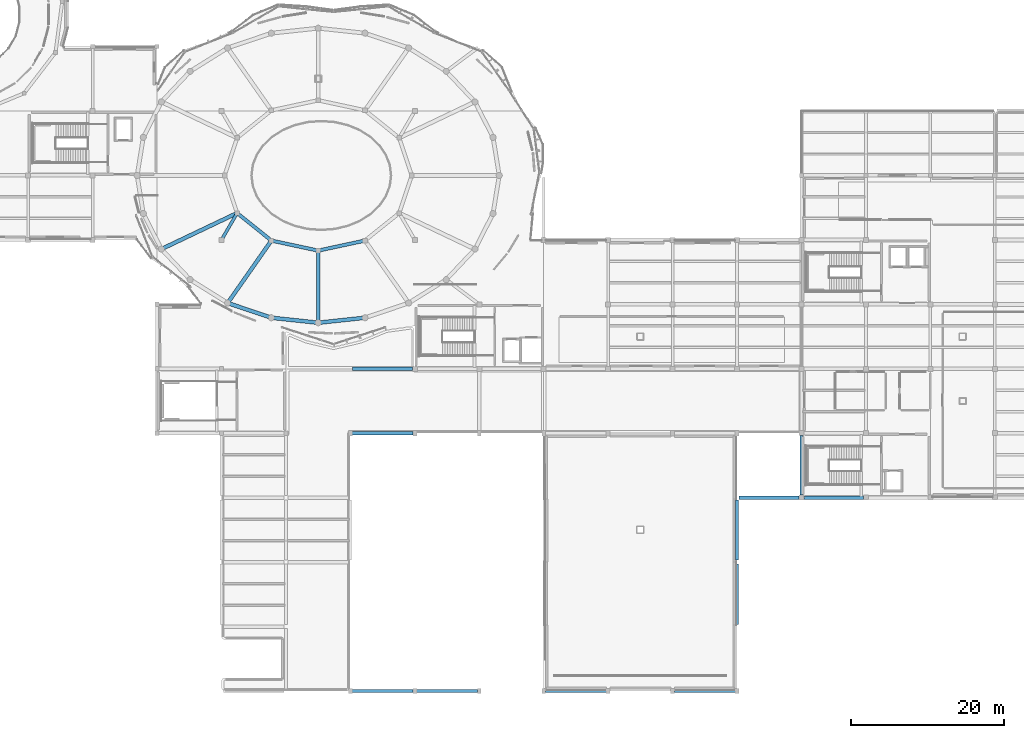
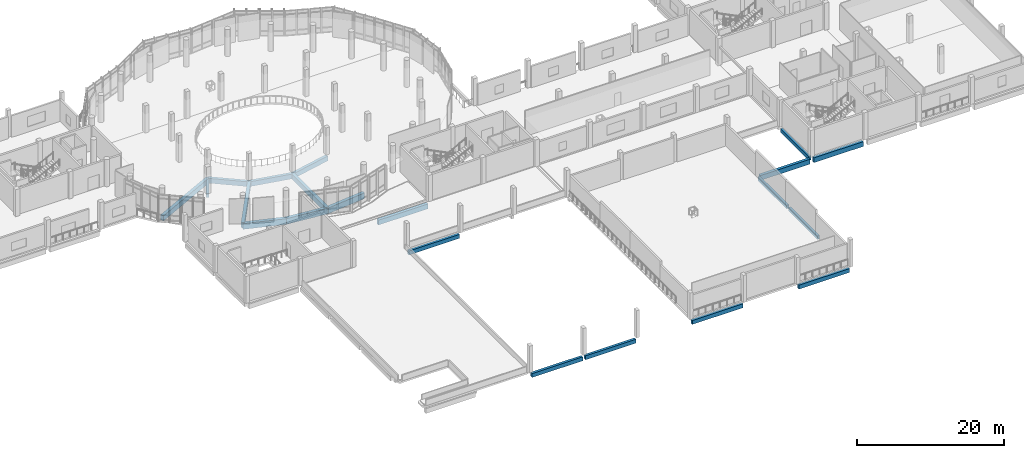
# One storey, part 5 of 46: 21 beams.
"""IFC4 building model written with IfcOpenShell, lengths in metres."""

import ifcopenshell
import ifcopenshell.guid

model = None  # the IFC model being written
_history = None  # IfcOwnerHistory: only IFC2X3 demands one
_inside = {}  # id of a spatial element -> (the spatial element, [elements in it])
_under = {}  # id of a project, library or spatial element -> (it, [spatial elements below it])
_declared = {}  # id of a project -> (the project, [libraries it declares])
_typed = {}  # id of a type object -> (the type object, [elements of that type])
_made_of = {}  # id of a material, layer set ... -> (it, [elements and type objects made of it])


def new_model(schema):
    """Start an empty IFC model of exactly this schema.

    Asked for "IFC4X3", IfcOpenShell would pick the latest addendum, in which some entities
    have other attributes; the version numbers below select the first issue.
    IFC2X3 requires an IfcOwnerHistory on every rooted entity: one is made here for all.
    """
    global model, _history
    if schema == "IFC4X3":
        model = ifcopenshell.file(schema_version=(4, 3, 0, 0))
    else:
        model = ifcopenshell.file(schema=schema)
    _inside.clear()
    _under.clear()
    _declared.clear()
    _typed.clear()
    _made_of.clear()
    _history = None
    if model.schema == "IFC2X3":
        org = make("IfcOrganization", Name="unknown")
        user = make(
            "IfcPersonAndOrganization",
            ThePerson=make("IfcPerson", FamilyName="unknown"),
            TheOrganization=org,
        )
        app = make(
            "IfcApplication",
            ApplicationDeveloper=org,
            Version="unknown",
            ApplicationFullName="unknown",
            ApplicationIdentifier="unknown",
        )
        _history = make(
            "IfcOwnerHistory",
            OwningUser=user,
            OwningApplication=app,
            ChangeAction="ADDED",
            CreationDate=0,
        )
    return model


def make(cls, **values):
    """One entity of the class cls with the attributes given. An attribute that is None is left unset."""
    return model.create_entity(
        cls, **{name: value for name, value in values.items() if value is not None}
    )


def rooted(cls, **values):
    """An entity with a GlobalId (a new one), such as an element, a storey or a relation."""
    return make(cls, GlobalId=ifcopenshell.guid.new(), OwnerHistory=_history, **values)


def si_unit(unit_type, name, prefix=None):
    """IfcSIUnit, for example si_unit("LENGTHUNIT", "METRE", prefix="MILLI")."""
    return make("IfcSIUnit", UnitType=unit_type, Prefix=prefix, Name=name)


def derived_unit(unit_type, elements):
    """IfcDerivedUnit: a product of units, each with its exponent."""
    return make(
        "IfcDerivedUnit",
        Elements=[
            make("IfcDerivedUnitElement", Unit=unit, Exponent=power)
            for unit, power in elements
        ],
        UnitType=unit_type,
    )


def assignment(units):
    """IfcUnitAssignment: the units of a project."""
    return None if units is None else make("IfcUnitAssignment", Units=units)


def point(xyz):
    """IfcCartesianPoint."""
    return None if xyz is None else make("IfcCartesianPoint", Coordinates=xyz)


def direction(xyz):
    """IfcDirection."""
    return None if xyz is None else make("IfcDirection", DirectionRatios=xyz)


def frame(location, z_axis=None, x_axis=None):
    """IfcAxis2Placement3D, a coordinate frame: its origin and axes. An axis left out is left unset."""
    return make(
        "IfcAxis2Placement3D",
        Location=point(location),
        Axis=direction(z_axis),
        RefDirection=direction(x_axis),
    )


def frame_2d(location, x_axis=None):
    """IfcAxis2Placement2D, a coordinate frame in the plane: its origin and x axis."""
    return make(
        "IfcAxis2Placement2D", Location=point(location), RefDirection=direction(x_axis)
    )


def origin():
    """The frame at (0, 0, 0) with its axes left unset."""
    return frame((0.0, 0.0, 0.0))


def origin_2d():
    """The frame at (0, 0) in the plane with its x axis left unset."""
    return frame_2d((0.0, 0.0))


def place(relative_to, where):
    """IfcLocalPlacement: puts the frame where relative to a parent placement (None: the world)."""
    return make(
        "IfcLocalPlacement", PlacementRelTo=relative_to, RelativePlacement=where
    )


def context(
    kind, dimensions, precision=None, world=None, true_north=None, identifier=None
):
    """IfcGeometricRepresentationContext, for example the 3D "Model" context."""
    return make(
        "IfcGeometricRepresentationContext",
        ContextIdentifier=identifier,
        ContextType=kind,
        CoordinateSpaceDimension=dimensions,
        Precision=precision,
        WorldCoordinateSystem=world,
        TrueNorth=true_north,
    )


def subcontext(parent, identifier, kind, view, scale=None):
    """IfcGeometricRepresentationSubContext, for example "Body" below "Model"."""
    return make(
        "IfcGeometricRepresentationSubContext",
        ContextIdentifier=identifier,
        ContextType=kind,
        ParentContext=parent,
        TargetScale=scale,
        TargetView=view,
    )


def project(units=None, contexts=None):
    """IfcProject with its units and contexts."""
    return rooted(
        "IfcProject",
        Name="project",
        RepresentationContexts=contexts,
        UnitsInContext=assignment(units),
    )


def spatial(cls, under=None, at=None, **own):
    """A site, building, storey or space (cls), placed at a placement, below another one or the project."""
    s = rooted(cls, ObjectPlacement=at, **own)
    if under is not None:
        _under.setdefault(under.id(), (under, []))[1].append(s)
    return s


def profile(cls, at=None, kind="AREA", **sizes):
    """A parametric profile (cls). Its sizes go by their IFC names, for example OverallWidth=200.0."""
    return make(cls, ProfileType=kind, Position=at, **sizes)


def rectangle(**sizes):
    """IfcRectangleProfileDef."""
    return profile("IfcRectangleProfileDef", **sizes)


def extrude(swept, where, along, depth):
    """IfcExtrudedAreaSolid: the profile swept, set in the frame where, extruded along a direction by depth."""
    return make(
        "IfcExtrudedAreaSolid",
        SweptArea=swept,
        Position=where,
        ExtrudedDirection=direction(along),
        Depth=depth,
    )


def shape(context_of_items, identifier, shape_type, items):
    """IfcShapeRepresentation: the items that make up one representation, for example the "Body"."""
    return make(
        "IfcShapeRepresentation",
        ContextOfItems=context_of_items,
        RepresentationIdentifier=identifier,
        RepresentationType=shape_type,
        Items=items,
    )


def material(Name=None, Category=None):
    """IfcMaterial."""
    return make("IfcMaterial", Name=Name, Category=Category)


def material_profile(
    of_material, cross_section, Name=None, Category=None, Priority=None
):
    """IfcMaterialProfile: a cross section and its material."""
    return make(
        "IfcMaterialProfile",
        Name=Name,
        Material=of_material,
        Profile=cross_section,
        Priority=Priority,
        Category=Category,
    )


def profile_set(profiles, Name=None, composite=None):
    """IfcMaterialProfileSet."""
    return make(
        "IfcMaterialProfileSet",
        Name=Name,
        MaterialProfiles=profiles,
        CompositeProfile=composite,
    )


def made_of(thing, what):
    """Note that an element or type object is made of a material, layer set ...; save() writes the relation."""
    if what is not None:
        _made_of.setdefault(what.id(), (what, []))[1].append(thing)
    return thing


def type_object(cls, material=None, **own):
    """A type object (cls), such as IfcWallType, which elements share."""
    return made_of(rooted(cls, **own), material)


def element(
    cls,
    number,
    at=None,
    inside=None,
    cuts=None,
    type_object=None,
    material=None,
    context=None,
    identifier="Body",
    shape_type=None,
    held_by="IfcProductDefinitionShape",
    body=None,
    shapes=None,
    **own,
):
    """One element of the class cls, such as IfcWall. Its Tag is "e" and its number.

    at: its placement. inside: the storey or other place that contains it. cuts: it is an
    opening in that element (IfcRelVoidsElement). A single representation is given by context,
    identifier, shape_type and body (its items); several are given by shapes. held_by: the class
    of the entity that holds the representations. save() writes the other relations.
    """
    e = rooted(cls, Tag="e%d" % number, ObjectPlacement=at, **own)
    if body is not None:
        shapes = [shape(context, identifier, shape_type, body)]
    if shapes is not None:
        e.Representation = make(held_by, Representations=shapes)
    if inside is not None:
        _inside.setdefault(inside.id(), (inside, []))[1].append(e)
    if cuts is not None:
        rooted(
            "IfcRelVoidsElement", RelatingBuildingElement=cuts, RelatedOpeningElement=e
        )
    if type_object is not None:
        _typed.setdefault(type_object.id(), (type_object, []))[1].append(e)
    return made_of(e, material)


def aggregate(whole, parts):
    """IfcRelAggregates: a whole, such as a stair, and the parts it consists of."""
    return rooted("IfcRelAggregates", RelatingObject=whole, RelatedObjects=parts)


def save(model, path):
    """Write the relations noted so far, then the file.

    IfcRelAggregates (storeys below a building ...), IfcRelContainedInSpatialStructure (elements
    in a storey), IfcRelDefinesByType, IfcRelAssociatesMaterial and IfcRelDeclares: one each for
    every whole, place, type object, material and project.
    """
    for whole, parts in _under.values():
        aggregate(whole, parts)
    for where, things in _inside.values():
        rooted(
            "IfcRelContainedInSpatialStructure",
            RelatedElements=things,
            RelatingStructure=where,
        )
    for kind, things in _typed.values():
        rooted("IfcRelDefinesByType", RelatedObjects=things, RelatingType=kind)
    for what, things in _made_of.values():
        rooted("IfcRelAssociatesMaterial", RelatedObjects=things, RelatingMaterial=what)
    for by, libraries in _declared.values():
        rooted("IfcRelDeclares", RelatingContext=by, RelatedDefinitions=libraries)
    model.write(path)


model = new_model("IFC4")

# Units and contexts
model_context = context("Model", 3, precision=1e-05, world=origin(), true_north=direction((0.0, 1.0)))
body_context = subcontext(model_context, "Body", "Model", "MODEL_VIEW")
ifc_project = project(units=[si_unit("LENGTHUNIT", "METRE"), si_unit("AREAUNIT", "SQUARE_METRE"), si_unit("VOLUMEUNIT", "CUBIC_METRE"), si_unit("PLANEANGLEUNIT", "RADIAN"), si_unit("MASSUNIT", "GRAM", prefix="KILO"), derived_unit("THERMALTRANSMITTANCEUNIT", [(si_unit("POWERUNIT", "WATT"), 1), (si_unit("LENGTHUNIT", "METRE"), -2), (si_unit("THERMODYNAMICTEMPERATUREUNIT", "KELVIN"), -1)])], contexts=[model_context])

# Site, building, storey
site_placement = place(None, origin())
site = spatial("IfcSite", under=ifc_project, at=site_placement, CompositionType="ELEMENT")
building_placement = place(site_placement, origin())
building = spatial("IfcBuilding", under=site, at=building_placement, Name="Elbkamm Science Centre", CompositionType="ELEMENT")
storey_placement = place(building_placement, frame((0.0, 0.0, 9.89990234375)))
storey = spatial("IfcBuildingStorey", under=building, at=storey_placement, Name="L02", CompositionType="ELEMENT", Elevation=9.89990234375)

# Beams
ifc_material = material(Name="Concrete C40/50", Category="concrete")
ifc_material_profile_1 = material_profile(ifc_material, rectangle(XDim=0.35009765625, YDim=0.60009765625, at=origin_2d()), Name="RC 350x600")
ifc_profile_set_1 = profile_set([ifc_material_profile_1], Name="Concrete C40/50")
beam_type_1 = type_object("IfcBeamType", Name="BM-RC-350x600", PredefinedType="BEAM", material=ifc_profile_set_1)
beam_1_placement = place(storey_placement, frame((117.60009765625, 8.675048828125, -0.599853515625), z_axis=(0.0, 1.0, 0.0), x_axis=(-1.0, 0.0, 0.0)))
element("IfcBeam", 1, at=beam_1_placement, inside=storey, type_object=beam_type_1, Name="L02 Primary Y-Girder 012", PredefinedType="BEAM", context=body_context, shape_type="SweptSolid", body=[
    extrude(rectangle(XDim=0.35009765625, YDim=0.60009765625, at=origin_2d()), origin(), (0.0, 0.0, 1.0), 7.849853515625),
])
beam_2_placement = place(storey_placement, frame((117.60009765625, 17.074951171875, -0.599853515625), z_axis=(0.0, 1.0, 0.0), x_axis=(-1.0, 0.0, 0.0)))
element("IfcBeam", 2, at=beam_2_placement, inside=storey, type_object=beam_type_1, Name="L02 Primary Y-Girder 013", PredefinedType="BEAM", context=body_context, shape_type="SweptSolid", body=[
    extrude(rectangle(XDim=0.35009765625, YDim=0.60009765625, at=origin_2d()), origin(), (0.0, 0.0, 1.0), 7.85009765625),
])
beam_3_placement = place(storey_placement, frame((126.0, 25.52490234375, -0.599853515625), z_axis=(0.0, 1.0, 0.0), x_axis=(-1.0, 0.0, 0.0)))
element("IfcBeam", 3, at=beam_3_placement, inside=storey, type_object=beam_type_1, Name="L02 Primary Y-Girder 016", PredefinedType="BEAM", context=body_context, shape_type="SweptSolid", body=[
    extrude(rectangle(XDim=0.35009765625, YDim=0.60009765625, at=origin_2d()), origin(), (0.0, 0.0, 1.0), 7.75),
])
ifc_material_profile_2 = material_profile(ifc_material, rectangle(XDim=0.39990234375, YDim=0.64990234375, at=origin_2d()), Name="RC 400x650")
ifc_profile_set_2 = profile_set([ifc_material_profile_2], Name="Concrete C40/50")
beam_type_2 = type_object("IfcBeamType", Name="BM-RC-400x650", PredefinedType="BEAM", material=ifc_profile_set_2)
for number, where, z_axis, x_axis, name in (
    (4, (67.419921875, 0.0, -0.625), (1.0, 0.0, 0.0), (0.0, 1.0, 0.0), "L02 Perimeter Ring Tie Girder 033"),
    (5, (67.419921875, 33.60009765625, -0.625), (1.0, 0.0, 0.0), (0.0, 1.0, 0.0), "L02 Perimeter Ring Tie Girder 034"),
    (6, (83.780029296875, 0.0, -0.625), (-1.0, 0.0, 0.0), (0.0, -1.0, 0.0), "L02 Perimeter Ring Tie Girder 035"),
    (7, (92.6201171875, 0.0, -0.625), (1.0, 0.0, 0.0), (0.0, 1.0, 0.0), "L02 Perimeter Ring Tie Girder 037"),
    (8, (109.419921875, 0.0, -0.625), (1.0, 0.0, 0.0), (0.0, 1.0, 0.0), "L02 Perimeter Ring Tie Girder 039"),
):
    element("IfcBeam", number, at=place(storey_placement, frame(where, z_axis=z_axis, x_axis=x_axis)), inside=storey, type_object=beam_type_2, Name=name, PredefinedType="BEAM", context=body_context, shape_type="SweptSolid", body=[
        extrude(rectangle(XDim=0.39990234375, YDim=0.64990234375, at=origin_2d()), origin(), (0.0, 0.0, 1.0), 7.9599609375),
    ])
beam_4_placement = place(storey_placement, frame((50.510498046875, 58.990234375, -0.625), z_axis=(0.502465212806, 0.864597426506, 0.0), x_axis=(-0.864597426506, 0.502465212806, 0.0)))
element("IfcBeam", 9, at=beam_4_placement, inside=storey, type_object=beam_type_2, Name="L02 Perimeter Ring Tie Girder 043", PredefinedType="BEAM", context=body_context, shape_type="SweptSolid", body=[
    extrude(rectangle(XDim=0.39990234375, YDim=0.64990234375, at=origin_2d()), origin(), (0.0, 0.0, 1.0), 3.608154296875),
])
ifc_material_profile_3 = material_profile(ifc_material, rectangle(XDim=0.449951171875, YDim=0.800048828125, at=origin_2d()), Name="RC 450x800")
ifc_profile_set_3 = profile_set([ifc_material_profile_3], Name="Concrete C40/50")
beam_type_3 = type_object("IfcBeamType", Name="BM-RC-450x800", PredefinedType="BEAM", material=ifc_profile_set_3)
beam_5_placement = place(storey_placement, frame((117.875, 25.199951171875, -0.699951171875), z_axis=(1.0, 0.0, 0.0), x_axis=(0.0, 1.0, 0.0)))
element("IfcBeam", 10, at=beam_5_placement, inside=storey, type_object=beam_type_3, Name="L02 Primary X-Girder 001", PredefinedType="BEAM", context=body_context, shape_type="SweptSolid", body=[
    extrude(rectangle(XDim=0.449951171875, YDim=0.800048828125, at=origin_2d()), origin(), (0.0, 0.0, 1.0), 7.800048828125),
])
beam_6_placement = place(storey_placement, frame((126.324951171875, 25.199951171875, -0.699951171875), z_axis=(1.0, 0.0, 0.0), x_axis=(0.0, 1.0, 0.0)))
element("IfcBeam", 11, at=beam_6_placement, inside=storey, type_object=beam_type_3, Name="L02 Primary X-Girder 002", PredefinedType="BEAM", context=body_context, shape_type="SweptSolid", body=[
    extrude(rectangle(XDim=0.449951171875, YDim=0.800048828125, at=origin_2d()), origin(), (0.0, 0.0, 1.0), 7.75),
])
beam_7_placement = place(storey_placement, frame((67.47509765625, 42.0, -0.669921875), z_axis=(1.0, 0.0, 0.0), x_axis=(0.0, 1.0, 0.0)))
element("IfcBeam", 12, at=beam_7_placement, inside=storey, type_object=beam_type_3, Name="L02 Step-Back Primary X-Girder 007", PredefinedType="BEAM", context=body_context, shape_type="SweptSolid", body=[
    extrude(rectangle(XDim=0.449951171875, YDim=0.800048828125, at=origin_2d()), origin(), (0.0, 0.0, 1.0), 7.7998046875),
])
beam_8_placement = place(storey_placement, frame((52.43408203125, 62.300048828125, -0.699951171875), z_axis=(0.779632299843, -0.626237556396, 0.0), x_axis=(0.626237556396, 0.779632299843, 0.0)))
element("IfcBeam", 13, at=beam_8_placement, inside=storey, type_object=beam_type_3, Name="L02 Atrium Ring Girder 08", PredefinedType="BEAM", context=body_context, shape_type="SweptSolid", body=[
    extrude(rectangle(XDim=0.449951171875, YDim=0.800048828125, at=origin_2d()), origin(), (0.0, 0.0, 1.0), 5.72802734375),
])
for number, where, z_axis, x_axis, name in (
    (14, (56.89990234375, 58.712890625, -0.699951171875), (0.97761076487, -0.210421463759, 0.0), (0.210421463759, 0.97761076487, 0.0), "L02 Atrium Ring Girder 09"),
    (15, (63.0, 57.39990234375, -0.699951171875), (0.97761076487, 0.210421463759, 0.0), (-0.210421463759, 0.97761076487, 0.0), "L02 Atrium Ring Girder 10"),
):
    element("IfcBeam", number, at=place(storey_placement, frame(where, z_axis=z_axis, x_axis=x_axis)), inside=storey, type_object=beam_type_3, Name=name, PredefinedType="BEAM", context=body_context, shape_type="SweptSolid", body=[
        extrude(rectangle(XDim=0.449951171875, YDim=0.800048828125, at=origin_2d()), origin(), (0.0, 0.0, 1.0), 6.23974609375),
    ])
ifc_material_profile_4 = material_profile(ifc_material, rectangle(XDim=0.5, YDim=0.85009765625, at=origin_2d()), Name="RC 500x850")
ifc_profile_set_4 = profile_set([ifc_material_profile_4], Name="Concrete C40/50")
beam_type_4 = type_object("IfcBeamType", Name="BM-RC-500x850", PredefinedType="BEAM", material=ifc_profile_set_4)
beam_9_placement = place(storey_placement, frame((52.43408203125, 62.300048828125, -0.724853515625), z_axis=(-0.902897249077, -0.429856438371, 0.0), x_axis=(0.429856438371, -0.902897249077, 0.0)))
element("IfcBeam", 16, at=beam_9_placement, inside=storey, type_object=beam_type_4, Name="L02 Elliptical Radial Girder 08", PredefinedType="BEAM", context=body_context, shape_type="SweptSolid", body=[
    extrude(rectangle(XDim=0.5, YDim=0.85009765625, at=origin_2d()), origin(), (0.0, 0.0, 1.0), 10.933837890625),
])
beam_10_placement = place(storey_placement, frame((56.89990234375, 58.712890625, -0.724853515625), z_axis=(-0.573553022395, -0.819168438419, 0.0), x_axis=(0.819168438419, -0.573553022395, 0.0)))
element("IfcBeam", 17, at=beam_10_placement, inside=storey, type_object=beam_type_4, Name="L02 Elliptical Radial Girder 09", PredefinedType="BEAM", context=body_context, shape_type="SweptSolid", body=[
    extrude(rectangle(XDim=0.5, YDim=0.85009765625, at=origin_2d()), origin(), (0.0, 0.0, 1.0), 9.93798828125),
])
beam_11_placement = place(storey_placement, frame((63.0, 57.39990234375, -0.724853515625), z_axis=(0.0, -1.0, 0.0), x_axis=(1.0, 0.0, 0.0)))
element("IfcBeam", 18, at=beam_11_placement, inside=storey, type_object=beam_type_4, Name="L02 Elliptical Radial Girder 10", PredefinedType="BEAM", context=body_context, shape_type="SweptSolid", body=[
    extrude(rectangle(XDim=0.5, YDim=0.85009765625, at=origin_2d()), origin(), (0.0, 0.0, 1.0), 9.39990234375),
])
ifc_material_profile_5 = material_profile(ifc_material, rectangle(XDim=0.5, YDim=0.949951171875, at=origin_2d()), Name="RC 500x950")
ifc_profile_set_5 = profile_set([ifc_material_profile_5], Name="Concrete C40/50")
beam_type_5 = type_object("IfcBeamType", Name="BM-RC-500x950", PredefinedType="BEAM", material=ifc_profile_set_5)
beam_12_placement = place(storey_placement, frame((51.199951171875, 50.572021484375, -0.77490234375), z_axis=(0.947649950761, -0.319311087848, 0.0), x_axis=(0.319311087848, 0.947649950761, 0.0)))
element("IfcBeam", 19, at=beam_12_placement, inside=storey, type_object=beam_type_5, Name="L02 Elliptical Shell Perimeter Ring Beam 17", PredefinedType="SPANDREL", context=body_context, shape_type="SweptSolid", body=[
    extrude(rectangle(XDim=0.5, YDim=0.949951171875, at=origin_2d()), origin(), (0.0, 0.0, 1.0), 6.006591796875),
])
for number, where, z_axis, x_axis, name in (
    (20, (56.89208984375, 48.654052734375, -0.77490234375), (0.994315467109, -0.106474184043, 0.0), (0.106474184043, 0.994315467109, 0.0), "L02 Elliptical Shell Perimeter Ring Beam 18"),
    (21, (63.0, 48.0, -0.77490234375), (0.994315467109, 0.106474184043, 0.0), (-0.106474184043, 0.994315467109, 0.0), "L02 Elliptical Shell Perimeter Ring Beam 19"),
):
    element("IfcBeam", number, at=place(storey_placement, frame(where, z_axis=z_axis, x_axis=x_axis)), inside=storey, type_object=beam_type_5, Name=name, PredefinedType="SPANDREL", context=body_context, shape_type="SweptSolid", body=[
        extrude(rectangle(XDim=0.5, YDim=0.949951171875, at=origin_2d()), origin(), (0.0, 0.0, 1.0), 6.142822265625),
    ])

save(model, "model.ifc")
